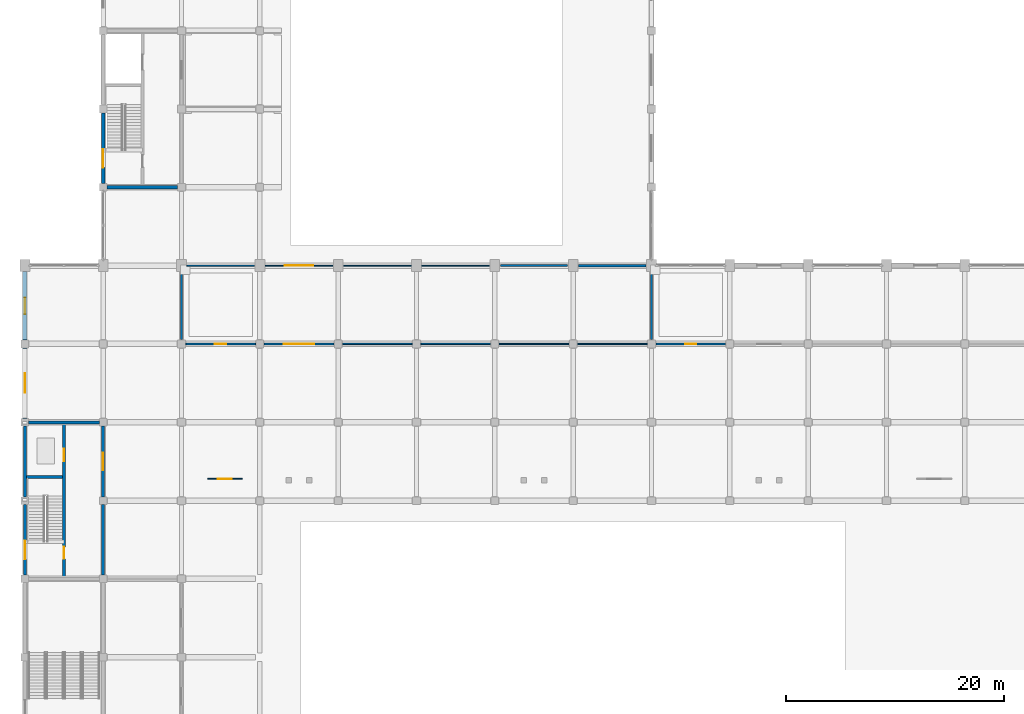
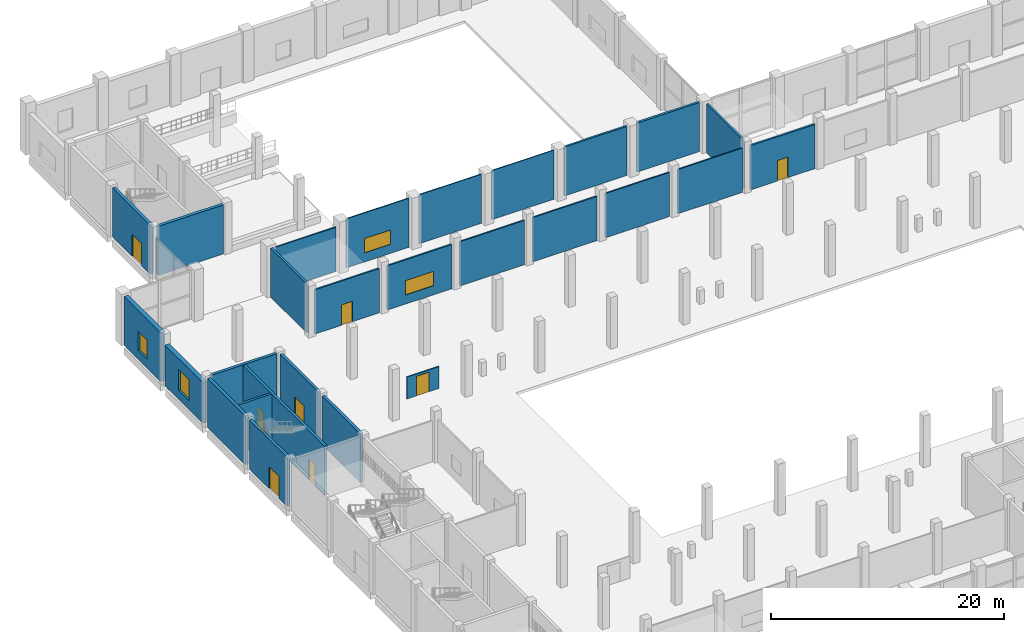
# One storey, part 47 of 70: 27 walls, 8 doors, 4 windows, 12 openings.
"""IFC4 building model written with IfcOpenShell, lengths in metres."""

from ifc_helpers import new_model, si_unit, direction, frame, frame_2d, origin, place, context, subcontext, project, spatial, rectangle, extrude, material, layer, layer_set, type_object, element, fill, save


model = new_model("IFC4")

# Units and contexts
model_context = context("Model", 3, precision=1e-05, world=origin(), true_north=direction((0.0, 1.0)))
body_context = subcontext(model_context, "Body", "Model", "MODEL_VIEW")
ifc_project = project(units=[si_unit("LENGTHUNIT", "METRE"), si_unit("AREAUNIT", "SQUARE_METRE"), si_unit("VOLUMEUNIT", "CUBIC_METRE"), si_unit("PLANEANGLEUNIT", "RADIAN"), si_unit("MASSUNIT", "GRAM", prefix="KILO")], contexts=[model_context])

# Site, building, storey
site_placement = place(None, origin())
site = spatial("IfcSite", under=ifc_project, at=site_placement, CompositionType="ELEMENT")
building_placement = place(site_placement, origin())
building = spatial("IfcBuilding", under=site, at=building_placement, Name="Vesperath Aquatics Centre", CompositionType="ELEMENT")
storey_placement = place(building_placement, origin())
storey = spatial("IfcBuildingStorey", under=building, at=storey_placement, Name="L00", CompositionType="ELEMENT", Elevation=0.0)

# Wall, opening, window
ifc_material_1 = material(Name="Liaoning grey granite ashlar insulated cavity wall", Category="masonry")
ifc_layer_1 = layer(ifc_material_1, 0.419921875)
ifc_layer_set_1 = layer_set([ifc_layer_1], Name="Liaoning grey granite ashlar insulated cavity wall")
wall_type_1 = type_object("IfcWallType", Name="WL-EW01", PredefinedType="SOLIDWALL", material=ifc_layer_set_1)
wall_1_placement = place(storey_placement, frame((0.0, 72.35009765625, 0.0), z_axis=(0.0, 0.0, 1.0), x_axis=(0.0, 1.0, 0.0)))
wall_1 = element("IfcWall", 1, at=wall_1_placement, inside=storey, type_object=wall_type_1, Name="Exterior Wall EW01 L00_W_00_10", PredefinedType="SOLIDWALL", context=body_context, shape_type="SweptSolid", body=[
    extrude(rectangle(XDim=6.5, YDim=0.419921875, at=frame_2d((3.25, 0.0))), origin(), (0.0, 0.0, 1.0), 4.2900390625),
])
opening_1_placement = place(wall_1_placement, frame((2.35009765625, 0.0, 0.949951171875)))
opening_1 = element("IfcOpeningElement", 2, at=opening_1_placement, cuts=wall_1, Name="Opening W03", PredefinedType="OPENING", context=body_context, shape_type="SweptSolid", body=[
    extrude(rectangle(XDim=1.800048828125, YDim=2.199951171875, at=frame_2d((0.89990234375, 1.10009765625))), frame((0.0, 0.224853515625, 0.0), z_axis=(0.0, -1.0, 0.0), x_axis=(1.0, 0.0, 0.0)), (0.0, 0.0, 1.0), 0.44970703125),
])
ifc_material_2 = material(Name="Thermally broken aluminium triple-glazed window", Category="aluminium")
window_type_1 = type_object("IfcWindowType", Name="WN-W03", PartitioningType="SINGLE_PANEL", PredefinedType="WINDOW", material=ifc_material_2)
window_1_placement = place(opening_1_placement, origin())
window_1 = element("IfcWindow", 3, at=window_1_placement, inside=storey, type_object=window_type_1, Name="Deep-Reveal Casement Window W03 L00_W_00_10", OverallHeight=2.199951171875, OverallWidth=1.800048828125, PartitioningType="SINGLE_PANEL", PredefinedType="WINDOW", context=body_context, shape_type="SweptSolid", body=[
    extrude(rectangle(XDim=1.800048828125, YDim=2.199951171875, at=frame_2d((0.89990234375, 1.10009765625))), frame((0.0, 0.030029296875, 0.0), z_axis=(0.0, -1.0, 0.0), x_axis=(1.0, 0.0, 0.0)), (0.0, 0.0, 1.0), 0.06005859375),
])
fill(opening_1, window_1)

wall_2_placement = place(storey_placement, frame((0.0, 79.550048828125, 0.0), z_axis=(0.0, 0.0, 1.0), x_axis=(0.0, 1.0, 0.0)))
wall_2 = element("IfcWall", 4, at=wall_2_placement, inside=storey, type_object=wall_type_1, Name="Exterior Wall EW01 L00_W_00_11", PredefinedType="SOLIDWALL", context=body_context, shape_type="SweptSolid", body=[
    extrude(rectangle(XDim=6.300048828125, YDim=0.419921875, at=frame_2d((3.14990234375, 0.0))), origin(), (0.0, 0.0, 1.0), 5.139892578125),
])
opening_2_placement = place(wall_2_placement, frame((2.39990234375, 0.0, 0.949951171875)))
opening_2 = element("IfcOpeningElement", 5, at=opening_2_placement, cuts=wall_2, Name="Opening W08", PredefinedType="OPENING", context=body_context, shape_type="SweptSolid", body=[
    extrude(rectangle(XDim=1.5, YDim=2.0, at=frame_2d((0.75, 1.0))), frame((0.0, 0.224853515625, 0.0), z_axis=(0.0, -1.0, 0.0), x_axis=(1.0, 0.0, 0.0)), (0.0, 0.0, 1.0), 0.44970703125),
])
window_type_2 = type_object("IfcWindowType", Name="WN-W08", PartitioningType="SINGLE_PANEL", PredefinedType="WINDOW", material=ifc_material_2)
window_2_placement = place(opening_2_placement, origin())
window_2 = element("IfcWindow", 6, at=window_2_placement, inside=storey, type_object=window_type_2, Name="Deep-Reveal Casement Window W08 L00_W_00_11", OverallHeight=2.0, OverallWidth=1.5, PartitioningType="SINGLE_PANEL", PredefinedType="WINDOW", context=body_context, shape_type="SweptSolid", body=[
    extrude(rectangle(XDim=1.5, YDim=2.0, at=frame_2d((0.75, 1.0))), frame((0.0, 0.030029296875, 0.0), z_axis=(0.0, -1.0, 0.0), x_axis=(1.0, 0.0, 0.0)), (0.0, 0.0, 1.0), 0.06005859375),
])
fill(opening_2, window_2)

# Walls
ifc_material_3 = material(Name="Autoclaved aerated masonry blockwork", Category="masonry")
ifc_layer_2 = layer(ifc_material_3, 0.22998046875)
ifc_layer_set_2 = layer_set([ifc_layer_2], Name="Autoclaved aerated masonry blockwork")
wall_type_2 = type_object("IfcWallType", Name="WL-FW01", PredefinedType="SOLIDWALL", material=ifc_layer_set_2)
wall_3_placement = place(storey_placement, frame((50.89990234375, 86.39990234375, 0.0), z_axis=(0.0, 0.0, 1.0), x_axis=(1.0, 0.0, 0.0)))
element("IfcWall", 7, at=wall_3_placement, inside=storey, type_object=wall_type_2, Name="Interior Partition FW01 L00_POOL_EQ-N6", PredefinedType="SOLIDWALL", context=body_context, shape_type="SweptSolid", body=[
    extrude(rectangle(XDim=6.2001953125, YDim=0.22998046875, at=frame_2d((3.10009765625, 0.0))), origin(), (0.0, 0.0, 1.0), 5.139892578125),
])
ifc_material_4 = material(Name="Masonry fire compartment wall", Category="masonry")
ifc_layer_3 = layer(ifc_material_4, 0.219970703125)
ifc_layer_set_3 = layer_set([ifc_layer_3], Name="Masonry fire compartment wall")
wall_type_3 = type_object("IfcWallType", Name="WL-FW02", PredefinedType="SOLIDWALL", material=ifc_layer_set_3)
wall_4_placement = place(storey_placement, frame((14.39990234375, 79.60009765625, 0.0), z_axis=(0.0, 0.0, 1.0), x_axis=(0.0, 1.0, 0.0)))
element("IfcWall", 8, at=wall_4_placement, inside=storey, type_object=wall_type_3, Name="Interior Partition FW02 L00_POOL_EQ-W1", PredefinedType="SOLIDWALL", context=body_context, shape_type="SweptSolid", body=[
    extrude(rectangle(XDim=6.199951171875, YDim=0.219970703125, at=frame_2d((3.10009765625, 0.0))), origin(), (0.0, 0.0, 1.0), 5.139892578125),
])
ifc_material_5 = material(Name="Wet-village masonry block wall", Category="masonry")
ifc_layer_4 = layer(ifc_material_5, 0.199951171875)
ifc_layer_set_4 = layer_set([ifc_layer_4], Name="Wet-village masonry block wall")
wall_type_4 = type_object("IfcWallType", Name="WL-FW03", PredefinedType="SOLIDWALL", material=ifc_layer_set_4)
wall_5_placement = place(storey_placement, frame((57.60009765625, 79.60009765625, 0.0), z_axis=(0.0, 0.0, 1.0), x_axis=(0.0, 1.0, 0.0)))
element("IfcWall", 9, at=wall_5_placement, inside=storey, type_object=wall_type_4, Name="Interior Partition FW03 L00_POOL_EQ-E1", PredefinedType="SOLIDWALL", context=body_context, shape_type="SweptSolid", body=[
    extrude(rectangle(XDim=6.199951171875, YDim=0.199951171875, at=frame_2d((3.10009765625, 0.0))), origin(), (0.0, 0.0, 1.0), 5.139892578125),
])

# Wall, opening, door
ifc_material_6 = material(Name="Plant acoustic masonry wall", Category="masonry")
ifc_layer_5 = layer(ifc_material_6, 0.18994140625)
ifc_layer_set_5 = layer_set([ifc_layer_5], Name="Plant acoustic masonry wall")
wall_type_5 = type_object("IfcWallType", Name="WL-FW04", PredefinedType="SOLIDWALL", material=ifc_layer_set_5)
wall_6_placement = place(storey_placement, frame((58.0, 79.199951171875, 0.0), z_axis=(0.0, 0.0, 1.0), x_axis=(1.0, 0.0, 0.0)))
wall_6 = element("IfcWall", 10, at=wall_6_placement, inside=storey, type_object=wall_type_5, Name="Interior Partition FW04 L00_MEDIA_MIX-S1", PredefinedType="SOLIDWALL", context=body_context, shape_type="SweptSolid", body=[
    extrude(rectangle(XDim=6.39990234375, YDim=0.18994140625, at=frame_2d((3.199951171875, 0.0))), origin(), (0.0, 0.0, 1.0), 4.639892578125),
])
opening_3_placement = place(wall_6_placement, frame((2.679931640625, 0.0, 0.0)))
opening_3 = element("IfcOpeningElement", 11, at=opening_3_placement, cuts=wall_6, Name="Opening D23", PredefinedType="OPENING", context=body_context, shape_type="SweptSolid", body=[
    extrude(rectangle(XDim=1.0400390625, YDim=2.14990234375, at=frame_2d((0.52001953125, 1.074951171875))), frame((0.0, 0.10986328125, 0.0), z_axis=(0.0, -1.0, 0.0), x_axis=(1.0, 0.0, 0.0)), (0.0, 0.0, 1.0), 0.2197265625),
])
ifc_material_7 = material(Name="Teaching classroom acoustic oak door", Category="wood")
door_type_1 = type_object("IfcDoorType", Name="DR-RM15", OperationType="NOTDEFINED", PredefinedType="DOOR", material=ifc_material_7)
door_1_placement = place(opening_3_placement, origin())
door_1 = element("IfcDoor", 12, at=door_1_placement, inside=storey, type_object=door_type_1, Name="Athlete Mixed-Zone Interview Hall Door D23", OperationType="SINGLE_SWING_RIGHT", OverallHeight=2.14990234375, OverallWidth=1.0400390625, PredefinedType="DOOR", context=body_context, shape_type="SweptSolid", body=[
    extrude(rectangle(XDim=1.0400390625, YDim=2.14990234375, at=frame_2d((0.52001953125, 1.074951171875))), frame((0.0, 0.02490234375, 0.0), z_axis=(0.0, -1.0, 0.0), x_axis=(1.0, 0.0, 0.0)), (0.0, 0.0, 1.0), 0.050048828125),
])
fill(opening_3, door_1)

ifc_material_8 = material(Name="Clinic acoustic partition", Category="gypsum")
ifc_layer_6 = layer(ifc_material_8, 0.159912109375)
ifc_layer_set_6 = layer_set([ifc_layer_6], Name="Clinic acoustic partition")
wall_type_6 = type_object("IfcWallType", Name="WL-IW04", PredefinedType="PARTITIONING", material=ifc_layer_set_6)
wall_7_placement = place(storey_placement, frame((14.800048828125, 79.199951171875, 0.0), z_axis=(0.0, 0.0, 1.0), x_axis=(1.0, 0.0, 0.0)))
wall_7 = element("IfcWall", 13, at=wall_7_placement, inside=storey, type_object=wall_type_6, Name="Interior Partition IW04 L00_POOL_EQ-S1", PredefinedType="PARTITIONING", context=body_context, shape_type="SweptSolid", body=[
    extrude(rectangle(XDim=6.39990234375, YDim=0.159912109375, at=frame_2d((3.199951171875, 0.0))), origin(), (0.0, 0.0, 1.0), 4.639892578125),
])
opening_4_placement = place(wall_7_placement, frame((2.669921875, 0.0, 0.0)))
opening_4 = element("IfcOpeningElement", 14, at=opening_4_placement, cuts=wall_7, Name="Opening D22", PredefinedType="OPENING", context=body_context, shape_type="SweptSolid", body=[
    extrude(rectangle(XDim=1.06005859375, YDim=2.14990234375, at=frame_2d((0.530029296875, 1.074951171875))), frame((0.0, 0.0947265625, 0.0), z_axis=(0.0, -1.0, 0.0), x_axis=(1.0, 0.0, 0.0)), (0.0, 0.0, 1.0), 0.189697265625),
])
ifc_material_9 = material(Name="Physiotherapy treatment oak door", Category="wood")
door_type_2 = type_object("IfcDoorType", Name="DR-RM14", OperationType="NOTDEFINED", PredefinedType="DOOR", material=ifc_material_9)
door_2_placement = place(opening_4_placement, origin())
door_2 = element("IfcDoor", 15, at=door_2_placement, inside=storey, type_object=door_type_2, Name="Competition Timing Pads and Starting-Block Store Door D22", OperationType="SINGLE_SWING_LEFT", OverallHeight=2.14990234375, OverallWidth=1.06005859375, PredefinedType="DOOR", context=body_context, shape_type="SweptSolid", body=[
    extrude(rectangle(XDim=1.06005859375, YDim=2.14990234375, at=frame_2d((0.530029296875, 1.074951171875))), frame((0.0, 0.02490234375, 0.0), z_axis=(0.0, -1.0, 0.0), x_axis=(1.0, 0.0, 0.0)), (0.0, 0.0, 1.0), 0.050048828125),
])
fill(opening_4, door_2)

# Wall, opening, window
ifc_material_10 = material(Name="Laboratory clean partition", Category="gypsum")
ifc_layer_7 = layer(ifc_material_10, 0.152099609375)
ifc_layer_set_7 = layer_set([ifc_layer_7], Name="Laboratory clean partition")
wall_type_7 = type_object("IfcWallType", Name="WL-IW05", PredefinedType="PARTITIONING", material=ifc_layer_set_7)
wall_8_placement = place(storey_placement, frame((22.0, 79.199951171875, 0.0), z_axis=(0.0, 0.0, 1.0), x_axis=(1.0, 0.0, 0.0)))
wall_8 = element("IfcWall", 16, at=wall_8_placement, inside=storey, type_object=wall_type_7, Name="Interior Partition IW05 L00_POOL_EQ-S2", PredefinedType="PARTITIONING", context=body_context, shape_type="SweptSolid", body=[
    extrude(rectangle(XDim=6.39990234375, YDim=0.152099609375, at=frame_2d((3.199951171875, 0.0))), origin(), (0.0, 0.0, 1.0), 4.639892578125),
])
opening_5_placement = place(wall_8_placement, frame((1.800048828125, 0.0, 0.949951171875)))
opening_5 = element("IfcOpeningElement", 17, at=opening_5_placement, cuts=wall_8, Name="Opening VW01", PredefinedType="OPENING", context=body_context, shape_type="SweptSolid", body=[
    extrude(rectangle(XDim=2.800048828125, YDim=1.5, at=frame_2d((1.39990234375, 0.75))), frame((0.0, 0.0908203125, 0.0), z_axis=(0.0, -1.0, 0.0), x_axis=(1.0, 0.0, 0.0)), (0.0, 0.0, 1.0), 0.181884765625),
])
ifc_material_11 = material(Name="Acoustic laminated interior viewing glazing", Category="glass")
window_type_3 = type_object("IfcWindowType", Name="WN-IW01", PartitioningType="SINGLE_PANEL", PredefinedType="WINDOW", material=ifc_material_11)
window_3_placement = place(opening_5_placement, origin())
window_3 = element("IfcWindow", 18, at=window_3_placement, inside=storey, type_object=window_type_3, Name="Interior Viewing Window VW01 L00_POOL_EQ", OverallHeight=1.5, OverallWidth=2.800048828125, PartitioningType="SINGLE_PANEL", PredefinedType="WINDOW", context=body_context, shape_type="SweptSolid", body=[
    extrude(rectangle(XDim=2.800048828125, YDim=1.5, at=frame_2d((1.39990234375, 0.75))), frame((0.0, 0.030029296875, 0.0), z_axis=(0.0, -1.0, 0.0), x_axis=(1.0, 0.0, 0.0)), (0.0, 0.0, 1.0), 0.06005859375),
])
fill(opening_5, window_3)

# Walls
ifc_material_12 = material(Name="Classroom acoustic partition", Category="gypsum")
ifc_layer_8 = layer(ifc_material_12, 0.14501953125)
ifc_layer_set_8 = layer_set([ifc_layer_8], Name="Classroom acoustic partition")
wall_type_8 = type_object("IfcWallType", Name="WL-IW06", PredefinedType="PARTITIONING", material=ifc_layer_set_8)
wall_9_placement = place(storey_placement, frame((29.199951171875, 79.199951171875, 0.0), z_axis=(0.0, 0.0, 1.0), x_axis=(1.0, 0.0, 0.0)))
element("IfcWall", 19, at=wall_9_placement, inside=storey, type_object=wall_type_8, Name="Interior Partition IW06 L00_POOL_EQ-S3", PredefinedType="PARTITIONING", context=body_context, shape_type="SweptSolid", body=[
    extrude(rectangle(XDim=6.400146484375, YDim=0.14501953125, at=frame_2d((3.2001953125, 0.0))), origin(), (0.0, 0.0, 1.0), 4.639892578125),
])
ifc_material_13 = material(Name="Changing cubicle masonry-backed partition", Category="masonry")
ifc_layer_9 = layer(ifc_material_13, 0.137939453125)
ifc_layer_set_9 = layer_set([ifc_layer_9], Name="Changing cubicle masonry-backed partition")
wall_type_9 = type_object("IfcWallType", Name="WL-IW07", PredefinedType="PARTITIONING", material=ifc_layer_set_9)
wall_10_placement = place(storey_placement, frame((36.39990234375, 79.199951171875, 0.0), z_axis=(0.0, 0.0, 1.0), x_axis=(1.0, 0.0, 0.0)))
element("IfcWall", 20, at=wall_10_placement, inside=storey, type_object=wall_type_9, Name="Interior Partition IW07 L00_POOL_EQ-S4", PredefinedType="PARTITIONING", context=body_context, shape_type="SweptSolid", body=[
    extrude(rectangle(XDim=6.400146484375, YDim=0.137939453125, at=frame_2d((3.2001953125, 0.0))), origin(), (0.0, 0.0, 1.0), 4.639892578125),
])
ifc_material_14 = material(Name="Sanitary plumbing wall", Category="gypsum")
ifc_layer_10 = layer(ifc_material_14, 0.1298828125)
ifc_layer_set_10 = layer_set([ifc_layer_10], Name="Sanitary plumbing wall")
wall_type_10 = type_object("IfcWallType", Name="WL-IW08", PredefinedType="PARTITIONING", material=ifc_layer_set_10)
wall_11_placement = place(storey_placement, frame((43.60009765625, 79.199951171875, 0.0), z_axis=(0.0, 0.0, 1.0), x_axis=(1.0, 0.0, 0.0)))
element("IfcWall", 21, at=wall_11_placement, inside=storey, type_object=wall_type_10, Name="Interior Partition IW08 L00_POOL_EQ-S5", PredefinedType="PARTITIONING", context=body_context, shape_type="SweptSolid", body=[
    extrude(rectangle(XDim=6.39990234375, YDim=0.1298828125, at=frame_2d((3.199951171875, 0.0))), origin(), (0.0, 0.0, 1.0), 4.639892578125),
])
ifc_material_15 = material(Name="Office dry-lined partition", Category="gypsum")
ifc_layer_11 = layer(ifc_material_15, 0.1220703125)
ifc_layer_set_11 = layer_set([ifc_layer_11], Name="Office dry-lined partition")
wall_type_11 = type_object("IfcWallType", Name="WL-IW09", PredefinedType="PARTITIONING", material=ifc_layer_set_11)
wall_12_placement = place(storey_placement, frame((50.800048828125, 79.199951171875, 0.0), z_axis=(0.0, 0.0, 1.0), x_axis=(1.0, 0.0, 0.0)))
element("IfcWall", 22, at=wall_12_placement, inside=storey, type_object=wall_type_11, Name="Interior Partition IW09 L00_POOL_EQ-S6", PredefinedType="PARTITIONING", context=body_context, shape_type="SweptSolid", body=[
    extrude(rectangle(XDim=6.39990234375, YDim=0.1220703125, at=frame_2d((3.199951171875, 0.0))), origin(), (0.0, 0.0, 1.0), 4.639892578125),
])
ifc_material_16 = material(Name="Store dry-lined partition", Category="gypsum")
ifc_layer_12 = layer(ifc_material_16, 0.114990234375)
ifc_layer_set_12 = layer_set([ifc_layer_12], Name="Store dry-lined partition")
wall_type_12 = type_object("IfcWallType", Name="WL-IW10", PredefinedType="PARTITIONING", material=ifc_layer_set_12)
wall_13_placement = place(storey_placement, frame((14.89990234375, 86.39990234375, 0.0), z_axis=(0.0, 0.0, 1.0), x_axis=(1.0, 0.0, 0.0)))
element("IfcWall", 23, at=wall_13_placement, inside=storey, type_object=wall_type_12, Name="Interior Partition IW10 L00_POOL_EQ-N1", PredefinedType="PARTITIONING", context=body_context, shape_type="SweptSolid", body=[
    extrude(rectangle(XDim=6.2001953125, YDim=0.114990234375, at=frame_2d((3.10009765625, 0.0))), origin(), (0.0, 0.0, 1.0), 4.639892578125),
])

# Wall, opening, window
ifc_material_17 = material(Name="Kiosk counter partition", Category="gypsum")
ifc_layer_13 = layer(ifc_material_17, 0.10791015625)
ifc_layer_set_13 = layer_set([ifc_layer_13], Name="Kiosk counter partition")
wall_type_13 = type_object("IfcWallType", Name="WL-IW11", PredefinedType="PARTITIONING", material=ifc_layer_set_13)
wall_14_placement = place(storey_placement, frame((22.10009765625, 86.39990234375, 0.0), z_axis=(0.0, 0.0, 1.0), x_axis=(1.0, 0.0, 0.0)))
wall_14 = element("IfcWall", 24, at=wall_14_placement, inside=storey, type_object=wall_type_13, Name="Interior Partition IW11 L00_POOL_EQ-N2", PredefinedType="PARTITIONING", context=body_context, shape_type="SweptSolid", body=[
    extrude(rectangle(XDim=6.199951171875, YDim=0.10791015625, at=frame_2d((3.10009765625, 0.0))), origin(), (0.0, 0.0, 1.0), 5.139892578125),
])
opening_6_placement = place(wall_14_placement, frame((1.800048828125, 0.0, 0.949951171875)))
opening_6 = element("IfcOpeningElement", 25, at=opening_6_placement, cuts=wall_14, Name="Opening VW02", PredefinedType="OPENING", context=body_context, shape_type="SweptSolid", body=[
    extrude(rectangle(XDim=2.60009765625, YDim=1.5, at=frame_2d((1.300048828125, 0.75))), frame((0.0, 0.06884765625, 0.0), z_axis=(0.0, -1.0, 0.0), x_axis=(1.0, 0.0, 0.0)), (0.0, 0.0, 1.0), 0.1376953125),
])
window_type_4 = type_object("IfcWindowType", Name="WN-IW02", PartitioningType="SINGLE_PANEL", PredefinedType="WINDOW", material=ifc_material_11)
window_4_placement = place(opening_6_placement, origin())
window_4 = element("IfcWindow", 26, at=window_4_placement, inside=storey, type_object=window_type_4, Name="Interior Viewing Window VW02 L00_POOL_EQ", OverallHeight=1.5, OverallWidth=2.60009765625, PartitioningType="SINGLE_PANEL", PredefinedType="WINDOW", context=body_context, shape_type="SweptSolid", body=[
    extrude(rectangle(XDim=2.60009765625, YDim=1.5, at=frame_2d((1.300048828125, 0.75))), frame((0.0, 0.030029296875, 0.0), z_axis=(0.0, -1.0, 0.0), x_axis=(1.0, 0.0, 0.0)), (0.0, 0.0, 1.0), 0.06005859375),
])
fill(opening_6, window_4)

# Walls
ifc_material_18 = material(Name="Light room sub-partition", Category="gypsum")
ifc_layer_14 = layer(ifc_material_18, 0.10009765625)
ifc_layer_set_14 = layer_set([ifc_layer_14], Name="Light room sub-partition")
wall_type_14 = type_object("IfcWallType", Name="WL-IW12", PredefinedType="PARTITIONING", material=ifc_layer_set_14)
wall_15_placement = place(storey_placement, frame((29.300048828125, 86.39990234375, 0.0), z_axis=(0.0, 0.0, 1.0), x_axis=(1.0, 0.0, 0.0)))
element("IfcWall", 27, at=wall_15_placement, inside=storey, type_object=wall_type_14, Name="Interior Partition IW12 L00_POOL_EQ-N3", PredefinedType="PARTITIONING", context=body_context, shape_type="SweptSolid", body=[
    extrude(rectangle(XDim=6.199951171875, YDim=0.10009765625, at=frame_2d((3.10009765625, 0.0))), origin(), (0.0, 0.0, 1.0), 5.139892578125),
])
ifc_material_19 = material(Name="Poolside glazed screen partition", Category="gypsum")
ifc_layer_15 = layer(ifc_material_19, 0.094970703125)
ifc_layer_set_15 = layer_set([ifc_layer_15], Name="Poolside glazed screen partition")
wall_type_15 = type_object("IfcWallType", Name="WL-IW13", PredefinedType="PARTITIONING", material=ifc_layer_set_15)
wall_16_placement = place(storey_placement, frame((36.5, 86.39990234375, 0.0), z_axis=(0.0, 0.0, 1.0), x_axis=(1.0, 0.0, 0.0)))
element("IfcWall", 28, at=wall_16_placement, inside=storey, type_object=wall_type_15, Name="Interior Partition IW13 L00_POOL_EQ-N4", PredefinedType="PARTITIONING", context=body_context, shape_type="SweptSolid", body=[
    extrude(rectangle(XDim=6.199951171875, YDim=0.094970703125, at=frame_2d((3.10009765625, 0.0))), origin(), (0.0, 0.0, 1.0), 5.139892578125),
])

# Wall, opening, door
wall_17_placement = place(storey_placement, frame((16.800048828125, 66.800048828125, 0.0), z_axis=(0.0, 0.0, 1.0), x_axis=(1.0, 0.0, 0.0)))
wall_17 = element("IfcWall", 29, at=wall_17_placement, inside=storey, type_object=wall_type_15, Name="Poolside Marshal Screen IW13-02", PredefinedType="PARTITIONING", context=body_context, shape_type="SweptSolid", body=[
    extrude(rectangle(XDim=3.199951171875, YDim=0.094970703125, at=frame_2d((1.60009765625, 0.0))), origin(), (0.0, 0.0, 1.0), 2.300048828125),
])
opening_7_placement = place(wall_17_placement, frame((0.949951171875, 0.0, 0.0)))
opening_7 = element("IfcOpeningElement", 30, at=opening_7_placement, cuts=wall_17, Name="Opening GT01", PredefinedType="OPENING", context=body_context, shape_type="SweptSolid", body=[
    extrude(rectangle(XDim=1.25, YDim=2.050048828125, at=frame_2d((0.625, 1.02490234375))), frame((0.0, 0.0625, 0.0), z_axis=(0.0, -1.0, 0.0), x_axis=(1.0, 0.0, 0.0)), (0.0, 0.0, 1.0), 0.124755859375),
])
ifc_material_20 = material(Name="Stainless steel poolside marshal gate", Category="steel")
door_type_3 = type_object("IfcDoorType", Name="DR-GT01", OperationType="NOTDEFINED", PredefinedType="GATE", material=ifc_material_20)
door_3_placement = place(opening_7_placement, origin())
door_3 = element("IfcDoor", 31, at=door_3_placement, inside=storey, type_object=door_type_3, Name="Poolside Marshal Gate GT01-02", OperationType="SINGLE_SWING_RIGHT", OverallHeight=2.050048828125, OverallWidth=1.25, PredefinedType="GATE", context=body_context, shape_type="SweptSolid", body=[
    extrude(rectangle(XDim=1.25, YDim=2.050048828125, at=frame_2d((0.625, 1.02490234375))), frame((0.0, 0.02490234375, 0.0), z_axis=(0.0, -1.0, 0.0), x_axis=(1.0, 0.0, 0.0)), (0.0, 0.0, 1.0), 0.050048828125),
])
fill(opening_7, door_3)

# Walls
ifc_material_21 = material(Name="Shaft enclosure fire partition", Category="gypsum")
ifc_layer_16 = layer(ifc_material_21, 0.195068359375)
ifc_layer_set_16 = layer_set([ifc_layer_16], Name="Shaft enclosure fire partition")
wall_type_16 = type_object("IfcWallType", Name="WL-IW14", PredefinedType="PARTITIONING", material=ifc_layer_set_16)
wall_18_placement = place(storey_placement, frame((43.699951171875, 86.39990234375, 0.0), z_axis=(0.0, 0.0, 1.0), x_axis=(1.0, 0.0, 0.0)))
element("IfcWall", 32, at=wall_18_placement, inside=storey, type_object=wall_type_16, Name="Interior Partition IW14 L00_POOL_EQ-N5", PredefinedType="PARTITIONING", context=body_context, shape_type="SweptSolid", body=[
    extrude(rectangle(XDim=6.199951171875, YDim=0.195068359375, at=frame_2d((3.10009765625, 0.0))), origin(), (0.0, 0.0, 1.0), 5.139892578125),
])
ifc_material_22 = material(Name="Concrete C40", Category="concrete")
ifc_layer_17 = layer(ifc_material_22, 0.300048828125)
ifc_layer_set_17 = layer_set([ifc_layer_17], Name="Concrete C40")
wall_type_17 = type_object("IfcWallType", Name="WL-SW01", PredefinedType="SHEAR", material=ifc_layer_set_17)
wall_19_placement = place(storey_placement, frame((7.550048828125, 93.60009765625, 0.0), z_axis=(0.0, 0.0, 1.0), x_axis=(1.0, 0.0, 0.0)))
element("IfcWall", 33, at=wall_19_placement, inside=storey, type_object=wall_type_17, Name="Core C3 South Shear Wall SW01 L00", PredefinedType="SHEAR", context=body_context, shape_type="SweptSolid", body=[
    extrude(rectangle(XDim=6.5, YDim=0.300048828125, at=frame_2d((3.25, 0.0))), origin(), (0.0, 0.0, 1.0), 5.139892578125),
])
ifc_layer_18 = layer(ifc_material_22, 0.280029296875)
ifc_layer_set_18 = layer_set([ifc_layer_18], Name="Concrete C40")
wall_type_18 = type_object("IfcWallType", Name="WL-SW02", PredefinedType="SHEAR", material=ifc_layer_set_18)
for number, where, z_axis, x_axis, name in (
    (34, (0.35009765625, 72.0, 0.0), (0.0, 0.0, 1.0), (1.0, 0.0, 0.0), "Core C2 North Shear Wall SW02 L00"),
    (35, (7.199951171875, 57.949951171875, 0.0), (0.0, 0.0, 1.0), (0.0, 1.0, 0.0), "Core C2 East-1 Shear Wall SW02 L00"),
):
    element("IfcWall", number, at=place(storey_placement, frame(where, z_axis=z_axis, x_axis=x_axis)), inside=storey, type_object=wall_type_18, Name=name, PredefinedType="SHEAR", context=body_context, shape_type="SweptSolid", body=[
        extrude(rectangle(XDim=6.5, YDim=0.280029296875, at=frame_2d((3.25, 0.0))), origin(), (0.0, 0.0, 1.0), 5.139892578125),
    ])

# Wall, opening, door
wall_20_placement = place(storey_placement, frame((7.199951171875, 65.14990234375, 0.0), z_axis=(0.0, 0.0, 1.0), x_axis=(0.0, 1.0, 0.0)))
wall_20 = element("IfcWall", 36, at=wall_20_placement, inside=storey, type_object=wall_type_18, Name="Core C2 East-2 Shear Wall SW02 L00", PredefinedType="SHEAR", context=body_context, shape_type="SweptSolid", body=[
    extrude(rectangle(XDim=6.5, YDim=0.280029296875, at=frame_2d((3.25, 0.0))), origin(), (0.0, 0.0, 1.0), 5.139892578125),
])
opening_8_placement = place(wall_20_placement, frame((2.449951171875, 0.0, 0.0)))
opening_8 = element("IfcOpeningElement", 37, at=opening_8_placement, cuts=wall_20, Name="Opening D02", PredefinedType="OPENING", context=body_context, shape_type="SweptSolid", body=[
    extrude(rectangle(XDim=1.60009765625, YDim=2.199951171875, at=frame_2d((0.800048828125, 1.10009765625))), frame((0.0, 0.15478515625, 0.0), z_axis=(0.0, -1.0, 0.0), x_axis=(1.0, 0.0, 0.0)), (0.0, 0.0, 1.0), 0.309814453125),
])
ifc_material_23 = material(Name="Glazed fire-rated lobby double door", Category="steel")
door_type_4 = type_object("IfcDoorType", Name="DR-FD02", OperationType="DOUBLE_SWING_LEFT", PredefinedType="DOOR", material=ifc_material_23)
door_4_placement = place(opening_8_placement, frame((1.60009765625, 0.0, 0.0), z_axis=(0.0, 0.0, 1.0), x_axis=(-1.0, 0.0, 0.0)))
door_4 = element("IfcDoor", 38, at=door_4_placement, inside=storey, type_object=door_type_4, Name="Core C2 Lobby Fire Door D02 L00", OperationType="DOUBLE_SWING_LEFT", OverallHeight=2.199951171875, OverallWidth=1.60009765625, PredefinedType="DOOR", context=body_context, shape_type="SweptSolid", body=[
    extrude(rectangle(XDim=1.60009765625, YDim=2.199951171875, at=frame_2d((0.800048828125, 1.10009765625))), frame((0.0, 0.02490234375, 0.0), z_axis=(0.0, -1.0, 0.0), x_axis=(1.0, 0.0, 0.0)), (0.0, 0.0, 1.0), 0.050048828125),
])
fill(opening_8, door_4)

# Wall, openings, doors
ifc_layer_19 = layer(ifc_material_22, 0.260009765625)
ifc_layer_set_19 = layer_set([ifc_layer_19], Name="Concrete C40")
wall_type_19 = type_object("IfcWallType", Name="WL-SW03", PredefinedType="SHEAR", material=ifc_layer_set_19)
wall_21_placement = place(storey_placement, frame((3.60009765625, 57.800048828125, 0.0), z_axis=(0.0, 0.0, 1.0), x_axis=(0.0, 1.0, 0.0)))
wall_21 = element("IfcWall", 39, at=wall_21_placement, inside=storey, type_object=wall_type_19, Name="Core C2 Spine Shear Wall SW03 L00", PredefinedType="SHEAR", context=body_context, shape_type="SweptSolid", body=[
    extrude(rectangle(XDim=14.0, YDim=0.260009765625, at=frame_2d((7.0, 0.0))), origin(), (0.0, 0.0, 1.0), 5.139892578125),
])
opening_9_placement = place(wall_21_placement, frame((1.64990234375, 0.0, 0.0)))
opening_9 = element("IfcOpeningElement", 40, at=opening_9_placement, cuts=wall_21, Name="Opening D01", PredefinedType="OPENING", context=body_context, shape_type="SweptSolid", body=[
    extrude(rectangle(XDim=1.10009765625, YDim=2.14990234375, at=frame_2d((0.550048828125, 1.074951171875))), frame((0.0, 0.14501953125, 0.0), z_axis=(0.0, -1.0, 0.0), x_axis=(1.0, 0.0, 0.0)), (0.0, 0.0, 1.0), 0.289794921875),
])
opening_10_placement = place(wall_21_placement, frame((10.60009765625, 0.0, 0.0)))
opening_10 = element("IfcOpeningElement", 41, at=opening_10_placement, cuts=wall_21, Name="Opening LD02", PredefinedType="OPENING", context=body_context, shape_type="SweptSolid", body=[
    extrude(rectangle(XDim=1.14990234375, YDim=2.199951171875, at=frame_2d((0.574951171875, 1.10009765625))), frame((0.0, 0.14501953125, 0.0), z_axis=(0.0, -1.0, 0.0), x_axis=(1.0, 0.0, 0.0)), (0.0, 0.0, 1.0), 0.289794921875),
])
ifc_material_24 = material(Name="Steel-faced acoustic fire door", Category="steel")
door_type_5 = type_object("IfcDoorType", Name="DR-FD01", OperationType="NOTDEFINED", PredefinedType="DOOR", material=ifc_material_24)
door_5_placement = place(opening_9_placement, origin())
door_5 = element("IfcDoor", 42, at=door_5_placement, inside=storey, type_object=door_type_5, Name="Stair ST2 Fire Door D01 L00", OperationType="SINGLE_SWING_RIGHT", OverallHeight=2.14990234375, OverallWidth=1.10009765625, PredefinedType="DOOR", context=body_context, shape_type="SweptSolid", body=[
    extrude(rectangle(XDim=1.10009765625, YDim=2.14990234375, at=frame_2d((0.550048828125, 1.074951171875))), frame((0.0, 0.02490234375, 0.0), z_axis=(0.0, -1.0, 0.0), x_axis=(1.0, 0.0, 0.0)), (0.0, 0.0, 1.0), 0.050048828125),
])
fill(opening_9, door_5)
ifc_material_25 = material(Name="Brushed stainless steel lift landing door", Category="steel")
door_type_6 = type_object("IfcDoorType", Name="DR-LD02", OperationType="SLIDING_TO_RIGHT", PredefinedType="DOOR", material=ifc_material_25)
door_6_placement = place(opening_10_placement, frame((1.14990234375, 0.0, 0.0), z_axis=(0.0, 0.0, 1.0), x_axis=(-1.0, 0.0, 0.0)))
door_6 = element("IfcDoor", 43, at=door_6_placement, inside=storey, type_object=door_type_6, Name="Lift LFT-P2 Sliding Landing Door LD02 L00", OperationType="SLIDING_TO_RIGHT", OverallHeight=2.199951171875, OverallWidth=1.14990234375, PredefinedType="DOOR", context=body_context, shape_type="SweptSolid", body=[
    extrude(rectangle(XDim=1.14990234375, YDim=2.199951171875, at=frame_2d((0.574951171875, 1.10009765625))), frame((0.0, 0.02490234375, 0.0), z_axis=(0.0, -1.0, 0.0), x_axis=(1.0, 0.0, 0.0)), (0.0, 0.0, 1.0), 0.050048828125),
])
fill(opening_10, door_6)

# Wall
ifc_layer_20 = layer(ifc_material_22, 0.25)
ifc_layer_set_20 = layer_set([ifc_layer_20], Name="Concrete C40")
wall_type_20 = type_object("IfcWallType", Name="WL-SW04", PredefinedType="SHEAR", material=ifc_layer_set_20)
wall_22_placement = place(storey_placement, frame((0.159912109375, 66.97998046875, 0.0), z_axis=(0.0, 0.0, 1.0), x_axis=(1.0, 0.0, 0.0)))
element("IfcWall", 44, at=wall_22_placement, inside=storey, type_object=wall_type_20, Name="Core C2 Lift Shaft Wall SW04 L00", PredefinedType="SHEAR", context=body_context, shape_type="SweptSolid", body=[
    extrude(rectangle(XDim=3.300048828125, YDim=0.25, at=frame_2d((1.64990234375, 0.0))), origin(), (0.0, 0.0, 1.0), 5.139892578125),
])

# Wall, opening, door
ifc_layer_21 = layer(ifc_material_22, 0.31005859375)
ifc_layer_set_21 = layer_set([ifc_layer_21], Name="Concrete C40")
wall_type_21 = type_object("IfcWallType", Name="WL-SW05", PredefinedType="SHEAR", material=ifc_layer_set_21)
wall_23_placement = place(storey_placement, frame((7.199951171875, 93.949951171875, 0.0), z_axis=(0.0, 0.0, 1.0), x_axis=(0.0, 1.0, 0.0)))
wall_23 = element("IfcWall", 45, at=wall_23_placement, inside=storey, type_object=wall_type_21, Name="Core C3 West-1 Shear Wall SW05 L00", PredefinedType="SHEAR", context=body_context, shape_type="SweptSolid", body=[
    extrude(rectangle(XDim=6.5, YDim=0.31005859375, at=frame_2d((3.25, 0.0))), origin(), (0.0, 0.0, 1.0), 5.139892578125),
])
opening_11_placement = place(wall_23_placement, frame((1.449951171875, 0.0, 0.0)))
opening_11 = element("IfcOpeningElement", 46, at=opening_11_placement, cuts=wall_23, Name="Opening EX04", PredefinedType="OPENING", context=body_context, shape_type="SweptSolid", body=[
    extrude(rectangle(XDim=1.699951171875, YDim=2.300048828125, at=frame_2d((0.85009765625, 1.14990234375))), frame((0.0, 0.169921875, 0.0), z_axis=(0.0, -1.0, 0.0), x_axis=(1.0, 0.0, 0.0)), (0.0, 0.0, 1.0), 0.33984375),
])
ifc_material_26 = material(Name="Thermally broken bronze-anodised glazed aluminium door", Category="aluminium")
door_type_7 = type_object("IfcDoorType", Name="DR-EX04", OperationType="DOUBLE_SWING_LEFT", PredefinedType="DOOR", material=ifc_material_26)
door_7_placement = place(opening_11_placement, origin())
door_7 = element("IfcDoor", 47, at=door_7_placement, inside=storey, type_object=door_type_7, Name="Stair ST3 Direct Grade Exit Door EX04", OperationType="DOUBLE_SWING_LEFT", OverallHeight=2.300048828125, OverallWidth=1.699951171875, PredefinedType="DOOR", context=body_context, shape_type="SweptSolid", body=[
    extrude(rectangle(XDim=1.699951171875, YDim=2.300048828125, at=frame_2d((0.85009765625, 1.14990234375))), frame((0.0, 0.02490234375, 0.0), z_axis=(0.0, -1.0, 0.0), x_axis=(1.0, 0.0, 0.0)), (0.0, 0.0, 1.0), 0.050048828125),
])
fill(opening_11, door_7)

ifc_layer_22 = layer(ifc_material_22, 0.2900390625)
ifc_layer_set_22 = layer_set([ifc_layer_22], Name="Concrete C40")
wall_type_22 = type_object("IfcWallType", Name="WL-SW06", PredefinedType="SHEAR", material=ifc_layer_set_22)
wall_24_placement = place(storey_placement, frame((0.0, 57.949951171875, 0.0), z_axis=(0.0, 0.0, 1.0), x_axis=(0.0, 1.0, 0.0)))
wall_24 = element("IfcWall", 48, at=wall_24_placement, inside=storey, type_object=wall_type_22, Name="Core C2 West-1 Shear Wall SW06 L00", PredefinedType="SHEAR", context=body_context, shape_type="SweptSolid", body=[
    extrude(rectangle(XDim=6.5, YDim=0.2900390625, at=frame_2d((3.25, 0.0))), origin(), (0.0, 0.0, 1.0), 5.139892578125),
])
opening_12_placement = place(wall_24_placement, frame((1.449951171875, 0.0, 0.0)))
opening_12 = element("IfcOpeningElement", 49, at=opening_12_placement, cuts=wall_24, Name="Opening EX04", PredefinedType="OPENING", context=body_context, shape_type="SweptSolid", body=[
    extrude(rectangle(XDim=1.699951171875, YDim=2.300048828125, at=frame_2d((0.85009765625, 1.14990234375))), frame((0.0, 0.159912109375, 0.0), z_axis=(0.0, -1.0, 0.0), x_axis=(1.0, 0.0, 0.0)), (0.0, 0.0, 1.0), 0.31982421875),
])
door_8_placement = place(opening_12_placement, origin())
door_8 = element("IfcDoor", 50, at=door_8_placement, inside=storey, type_object=door_type_7, Name="Stair ST2 Direct Grade Exit Door EX04", OperationType="DOUBLE_SWING_LEFT", OverallHeight=2.300048828125, OverallWidth=1.699951171875, PredefinedType="DOOR", context=body_context, shape_type="SweptSolid", body=[
    extrude(rectangle(XDim=1.699951171875, YDim=2.300048828125, at=frame_2d((0.85009765625, 1.14990234375))), frame((0.0, 0.02490234375, 0.0), z_axis=(0.0, -1.0, 0.0), x_axis=(1.0, 0.0, 0.0)), (0.0, 0.0, 1.0), 0.050048828125),
])
fill(opening_12, door_8)

# Wall
wall_25_placement = place(storey_placement, frame((0.0, 65.14990234375, 0.0), z_axis=(0.0, 0.0, 1.0), x_axis=(0.0, 1.0, 0.0)))
element("IfcWall", 51, at=wall_25_placement, inside=storey, type_object=wall_type_22, Name="Core C2 West-2 Shear Wall SW06 L00", PredefinedType="SHEAR", context=body_context, shape_type="SweptSolid", body=[
    extrude(rectangle(XDim=6.5, YDim=0.2900390625, at=frame_2d((3.25, 0.0))), origin(), (0.0, 0.0, 1.0), 5.139892578125),
])

save(model, "model.ifc")
